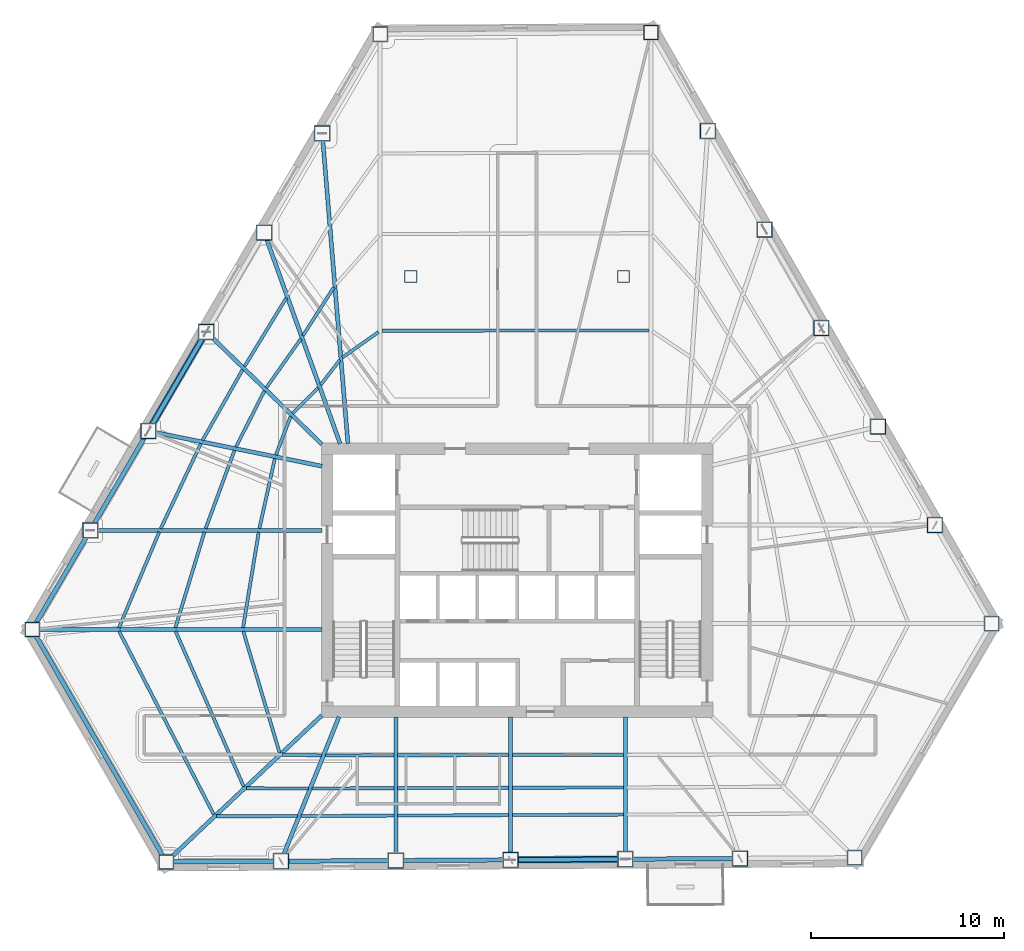
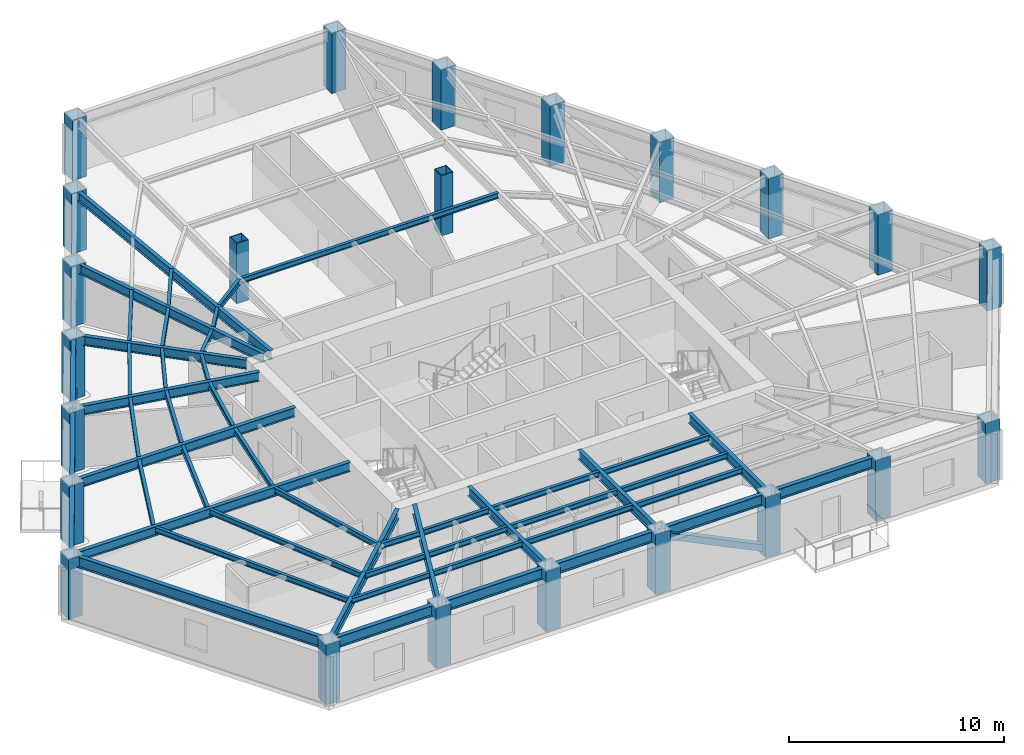
# One storey, part 1 of 14: 51 beams, 23 columns, 2 members.
"""IFC4 building model written with IfcOpenShell, lengths in metres."""

from ifc_helpers import new_model, si_unit, direction, frame, origin, origin_2d, place, context, subcontext, project, spatial, hollow_rectangle, i_section, extrude, material, material_profile, profile_set, type_object, element, save


model = new_model("IFC4")

# Units and contexts
model_context = context("Model", 3, precision=1e-05, world=origin(), true_north=direction((0.0, 1.0)))
body_context = subcontext(model_context, "Body", "Model", "MODEL_VIEW")
ifc_project = project(units=[si_unit("LENGTHUNIT", "METRE"), si_unit("AREAUNIT", "SQUARE_METRE"), si_unit("VOLUMEUNIT", "CUBIC_METRE"), si_unit("PLANEANGLEUNIT", "RADIAN"), si_unit("MASSUNIT", "GRAM", prefix="KILO")], contexts=[model_context])

# Site, building, storey
site_placement = place(None, origin())
site = spatial("IfcSite", under=ifc_project, at=site_placement, CompositionType="ELEMENT")
building_placement = place(site_placement, origin())
building = spatial("IfcBuilding", under=site, at=building_placement, Name="Kavelnor Concourse Tower", CompositionType="ELEMENT")
storey_placement = place(building_placement, frame((0.0, 0.0, 71.449951171875)))
storey = spatial("IfcBuildingStorey", under=building, at=storey_placement, Name="L18", CompositionType="ELEMENT", Elevation=71.449951171875)

# Columns
ifc_material = material(Name="Steel Grade 350", Category="steel")
ifc_material_profile_1 = material_profile(ifc_material, hollow_rectangle(XDim=0.760009765625, YDim=0.760009765625, WallThickness=0.034912109375, at=origin_2d()), Name="SHS 760x760x35")
ifc_profile_set_1 = profile_set([ifc_material_profile_1], Name="Steel Grade 350")
column_type_1 = type_object("IfcColumnType", Name="COL-FOLD-Z1", PredefinedType="COLUMN", material=ifc_profile_set_1)
for number, where, z_axis, x_axis, name in (
    (1, (30.926513671875, 44.32763671875, 0.0), (0.0, 0.0, 1.0), (1.0, 0.0, 0.0), "L18 Perimeter Corner-Fold Column F0-B0"),
    (2, (12.94775390625, 13.552001953125, 0.0), (0.0, 0.0, 1.0), (1.0, 0.0, 0.0), "L18 Perimeter Corner-Fold Column F0-B6"),
    (3, (19.868896484375, 1.540771484375, 0.0), (0.0, 0.0, 1.0), (1.0, 0.0, 0.0), "L18 Perimeter Corner-Fold Column F1-B0"),
    (4, (55.457275390625, 1.7529296875, 0.0), (0.0, 0.0, 1.0), (1.0, 0.0, 0.0), "L18 Perimeter Corner-Fold Column F1-B6"),
    (5, (62.52880859375, 13.857666015625, 0.0), (0.0, 0.0, 1.0), (1.0, 0.0, 0.0), "L18 Perimeter Corner-Fold Column F2-B0"),
    (6, (44.92333984375, 44.4111328125, 0.0), (0.0, 0.0, 1.0), (1.0, 0.0, 0.0), "L18 Perimeter Corner-Fold Column F2-B6"),
):
    element("IfcColumn", number, at=place(storey_placement, frame(where, z_axis=z_axis, x_axis=x_axis)), inside=storey, type_object=column_type_1, Name=name, PredefinedType="COLUMN", context=body_context, shape_type="SweptSolid", body=[
        extrude(hollow_rectangle(XDim=0.760009765625, YDim=0.760009765625, WallThickness=0.034912109375, at=origin_2d()), origin(), (0.0, 0.0, 1.0), 3.429931640625),
    ])
ifc_material_profile_2 = material_profile(ifc_material, hollow_rectangle(XDim=0.800048828125, YDim=0.800048828125, WallThickness=0.035888671875, at=origin_2d()), Name="SHS 800x800x36")
ifc_profile_set_2 = profile_set([ifc_material_profile_2], Name="Steel Grade 350")
column_type_2 = type_object("IfcColumnType", Name="COL-TUBE-Z1", PredefinedType="COLUMN", material=ifc_profile_set_2)
for number, where, z_axis, x_axis, name in (
    (7, (27.93017578125, 39.1982421875, 0.0), (0.0, 0.0, 1.0), (1.0, 0.0, 0.0), "L18 Perimeter Framed-Tube Column F0-B1"),
    (8, (24.93359375, 34.069091796875, 0.0), (0.0, 0.0, 1.0), (1.0, 0.0, 0.0), "L18 Perimeter Framed-Tube Column F0-B2"),
    (9, (21.93701171875, 28.939697265625, 0.0), (0.0, 0.0, 1.0), (1.0, 0.0, 0.0), "L18 Perimeter Framed-Tube Column F0-B3"),
    (10, (18.940673828125, 23.810546875, 0.0), (0.0, 0.0, 1.0), (1.0, 0.0, 0.0), "L18 Perimeter Framed-Tube Column F0-B4"),
    (11, (15.944091796875, 18.681396484375, 0.0), (0.0, 0.0, 1.0), (1.0, 0.0, 0.0), "L18 Perimeter Framed-Tube Column F0-B5"),
    (12, (25.80029296875, 1.576171875, 0.0), (0.0, 0.0, 1.0), (1.0, 0.0, 0.0), "L18 Perimeter Framed-Tube Column F1-B1"),
    (13, (31.731689453125, 1.611328125, 0.0), (0.0, 0.0, 1.0), (1.0, 0.0, 0.0), "L18 Perimeter Framed-Tube Column F1-B2"),
    (14, (37.6630859375, 1.646728515625, 0.0), (0.0, 0.0, 1.0), (1.0, 0.0, 0.0), "L18 Perimeter Framed-Tube Column F1-B3"),
    (15, (43.594482421875, 1.68212890625, 0.0), (0.0, 0.0, 1.0), (1.0, 0.0, 0.0), "L18 Perimeter Framed-Tube Column F1-B4"),
    (16, (49.52587890625, 1.717529296875, 0.0), (0.0, 0.0, 1.0), (1.0, 0.0, 0.0), "L18 Perimeter Framed-Tube Column F1-B5"),
    (17, (59.594482421875, 18.94970703125, 0.0), (0.0, 0.0, 1.0), (1.0, 0.0, 0.0), "L18 Perimeter Framed-Tube Column F2-B1"),
    (18, (56.660400390625, 24.0419921875, 0.0), (0.0, 0.0, 1.0), (1.0, 0.0, 0.0), "L18 Perimeter Framed-Tube Column F2-B2"),
    (19, (53.72607421875, 29.13427734375, 0.0), (0.0, 0.0, 1.0), (1.0, 0.0, 0.0), "L18 Perimeter Framed-Tube Column F2-B3"),
    (20, (50.791748046875, 34.2265625, 0.0), (0.0, 0.0, 1.0), (1.0, 0.0, 0.0), "L18 Perimeter Framed-Tube Column F2-B4"),
    (21, (47.857421875, 39.31884765625, 0.0), (0.0, 0.0, 1.0), (1.0, 0.0, 0.0), "L18 Perimeter Framed-Tube Column F2-B5"),
):
    element("IfcColumn", number, at=place(storey_placement, frame(where, z_axis=z_axis, x_axis=x_axis)), inside=storey, type_object=column_type_2, Name=name, PredefinedType="COLUMN", context=body_context, shape_type="SweptSolid", body=[
        extrude(hollow_rectangle(XDim=0.800048828125, YDim=0.800048828125, WallThickness=0.035888671875, at=origin_2d()), origin(), (0.0, 0.0, 1.0), 3.429931640625),
    ])
ifc_material_profile_3 = material_profile(ifc_material, hollow_rectangle(XDim=0.639892578125, YDim=0.639892578125, WallThickness=0.028076171875, at=origin_2d()), Name="SHS 640x640x28")
ifc_profile_set_3 = profile_set([ifc_material_profile_3], Name="Steel Grade 350")
column_type_3 = type_object("IfcColumnType", Name="COL-TUBE-Z3", PredefinedType="COLUMN", material=ifc_profile_set_3)
for number, where, z_axis, x_axis, name in (
    (22, (32.5, 31.800048828125, 0.0), (0.0, 0.0, 1.0), (1.0, 0.0, 0.0), "L18 North Interior Gravity Column BC-NW"),
    (23, (43.5, 31.800048828125, 0.0), (0.0, 0.0, 1.0), (1.0, 0.0, 0.0), "L18 North Interior Gravity Column BC-NE"),
):
    element("IfcColumn", number, at=place(storey_placement, frame(where, z_axis=z_axis, x_axis=x_axis)), inside=storey, type_object=column_type_3, Name=name, PredefinedType="COLUMN", context=body_context, shape_type="SweptSolid", body=[
        extrude(hollow_rectangle(XDim=0.639892578125, YDim=0.639892578125, WallThickness=0.028076171875, at=origin_2d()), origin(), (0.0, 0.0, 1.0), 3.429931640625),
    ])

# Beams
ifc_material_profile_4 = material_profile(ifc_material, i_section(OverallWidth=0.166015625, OverallDepth=0.306884765625, WebThickness=0.006591796875, FlangeThickness=0.01171875, at=origin_2d()), Name="310UB46")
ifc_profile_set_4 = profile_set([ifc_material_profile_4], Name="Steel Grade 350")
beam_type_1 = type_object("IfcBeamType", Name="BM-JOIST-310", PredefinedType="JOIST", material=ifc_profile_set_4)
beam_1_placement = place(storey_placement, frame((23.851318359375, 13.45751953125, 3.276611328125), z_axis=(0.286424655238, -0.958102769473, 0.0), x_axis=(0.958102769473, 0.286424655238, 0.0)))
element("IfcBeam", 24, at=beam_1_placement, inside=storey, type_object=beam_type_1, Name="L18 Secondary Composite Joist 01-1", PredefinedType="JOIST", context=body_context, shape_type="SweptSolid", body=[
    extrude(i_section(OverallWidth=0.166015625, OverallDepth=0.306884765625, WebThickness=0.006591796875, FlangeThickness=0.01171875, at=origin_2d()), origin(), (0.0, 0.0, 1.0), 6.55126953125),
])
beam_2_placement = place(storey_placement, frame((20.350830078125, 13.4619140625, 3.276611328125), z_axis=(0.401767265292, -0.915741811069, 0.0), x_axis=(0.915741811069, 0.401767265292, 0.0)))
element("IfcBeam", 25, at=beam_2_placement, inside=storey, type_object=beam_type_1, Name="L18 Secondary Composite Joist 01-2", PredefinedType="JOIST", context=body_context, shape_type="SweptSolid", body=[
    extrude(i_section(OverallWidth=0.166015625, OverallDepth=0.306884765625, WebThickness=0.006591796875, FlangeThickness=0.01171875, at=origin_2d()), origin(), (0.0, 0.0, 1.0), 8.761962890625),
])
beam_3_placement = place(storey_placement, frame((17.429931640625, 13.464599609375, 3.276611328125), z_axis=(0.459082968893, -0.888393396909, 0.0), x_axis=(0.888393396909, 0.459082968893, 0.0)))
element("IfcBeam", 26, at=beam_3_placement, inside=storey, type_object=beam_type_1, Name="L18 Secondary Composite Joist 01-3", PredefinedType="JOIST", context=body_context, shape_type="SweptSolid", body=[
    extrude(i_section(OverallWidth=0.166015625, OverallDepth=0.306884765625, WebThickness=0.006591796875, FlangeThickness=0.01171875, at=origin_2d()), origin(), (0.0, 0.0, 1.0), 10.66845703125),
])
beam_4_placement = place(storey_placement, frame((25.8544921875, 7.08447265625, 3.276611328125), z_axis=(0.999821409162, -0.018898406825, 0.0), x_axis=(0.018898406825, 0.999821409162, 0.0)))
element("IfcBeam", 27, at=beam_4_placement, inside=storey, type_object=beam_type_1, Name="L18 Secondary Composite Joist 02-1", PredefinedType="JOIST", context=body_context, shape_type="SweptSolid", body=[
    extrude(i_section(OverallWidth=0.166015625, OverallDepth=0.306884765625, WebThickness=0.006591796875, FlangeThickness=0.01171875, at=origin_2d()), origin(), (0.0, 0.0, 1.0), 2.041015625),
])
beam_5_placement = place(storey_placement, frame((24.00927734375, 5.34765625, 3.276611328125), z_axis=(0.999993297409, -0.003661302691, 0.0), x_axis=(0.003661302691, 0.999993297409, 0.0)))
element("IfcBeam", 28, at=beam_5_placement, inside=storey, type_object=beam_type_1, Name="L18 Secondary Composite Joist 02-2", PredefinedType="JOIST", context=body_context, shape_type="SweptSolid", body=[
    extrude(i_section(OverallWidth=0.166015625, OverallDepth=0.306884765625, WebThickness=0.006591796875, FlangeThickness=0.01171875, at=origin_2d()), origin(), (0.0, 0.0, 1.0), 3.20068359375),
])
beam_6_placement = place(storey_placement, frame((22.47119140625, 3.899658203125, 3.276611328125), z_axis=(0.999995710672, 0.00292893126, 0.0), x_axis=(-0.00292893126, 0.999995710672, 0.0)))
element("IfcBeam", 29, at=beam_6_placement, inside=storey, type_object=beam_type_1, Name="L18 Secondary Composite Joist 02-3", PredefinedType="JOIST", context=body_context, shape_type="SweptSolid", body=[
    extrude(i_section(OverallWidth=0.166015625, OverallDepth=0.306884765625, WebThickness=0.006591796875, FlangeThickness=0.01171875, at=origin_2d()), origin(), (0.0, 0.0, 1.0), 4.167724609375),
])
beam_7_placement = place(storey_placement, frame((28.09228515625, 7.044189453125, 3.276611328125), z_axis=(0.999995398528, 0.003033631932, 0.0), x_axis=(-0.003033631932, 0.999995398528, 0.0)))
element("IfcBeam", 30, at=beam_7_placement, inside=storey, type_object=beam_type_1, Name="L18 Secondary Composite Joist 03-1", PredefinedType="JOIST", context=body_context, shape_type="SweptSolid", body=[
    extrude(i_section(OverallWidth=0.166015625, OverallDepth=0.306884765625, WebThickness=0.006591796875, FlangeThickness=0.01171875, at=origin_2d()), origin(), (0.0, 0.0, 1.0), 3.541015625),
])
beam_8_placement = place(storey_placement, frame((27.406982421875, 5.336181640625, 3.276611328125), z_axis=(0.999991589208, 0.004101403895, 0.0), x_axis=(-0.004101403895, 0.999991589208, 0.0)))
element("IfcBeam", 31, at=beam_8_placement, inside=storey, type_object=beam_type_1, Name="L18 Secondary Composite Joist 03-2", PredefinedType="JOIST", context=body_context, shape_type="SweptSolid", body=[
    extrude(i_section(OverallWidth=0.166015625, OverallDepth=0.306884765625, WebThickness=0.006591796875, FlangeThickness=0.01171875, at=origin_2d()), origin(), (0.0, 0.0, 1.0), 4.226318359375),
])
beam_9_placement = place(storey_placement, frame((26.835693359375, 3.91259765625, 3.276611328125), z_axis=(0.999988314689, 0.004834303084, 0.0), x_axis=(-0.004834303084, 0.999988314689, 0.0)))
element("IfcBeam", 32, at=beam_9_placement, inside=storey, type_object=beam_type_1, Name="L18 Secondary Composite Joist 03-3", PredefinedType="JOIST", context=body_context, shape_type="SweptSolid", body=[
    extrude(i_section(OverallWidth=0.166015625, OverallDepth=0.306884765625, WebThickness=0.006591796875, FlangeThickness=0.01171875, at=origin_2d()), origin(), (0.0, 0.0, 1.0), 4.797607421875),
])
for number, where, z_axis, x_axis, name in (
    (33, (31.830078125, 7.055419921875, 3.276611328125), (0.999998621619, 0.001660349365, 0.0), (-0.001660349365, 0.999998621619, 0.0), "L18 Secondary Composite Joist 04-1"),
    (34, (31.830078125, 5.354248046875, 3.276611328125), (0.999995170707, 0.003107822703, 0.0), (-0.003107822703, 0.999995170707, 0.0), "L18 Secondary Composite Joist 04-2"),
    (35, (31.830078125, 3.9365234375, 3.276611328125), (0.999990755622, 0.004299845303, 0.0), (-0.004299845303, 0.999990755622, 0.0), "L18 Secondary Composite Joist 04-3"),
):
    element("IfcBeam", number, at=place(storey_placement, frame(where, z_axis=z_axis, x_axis=x_axis)), inside=storey, type_object=beam_type_1, Name=name, PredefinedType="JOIST", context=body_context, shape_type="SweptSolid", body=[
        extrude(i_section(OverallWidth=0.166015625, OverallDepth=0.306884765625, WebThickness=0.006591796875, FlangeThickness=0.01171875, at=origin_2d()), origin(), (0.0, 0.0, 1.0), 5.734619140625),
    ])
for number, where, z_axis, x_axis, name in (
    (36, (37.76171875, 7.065185546875, 3.276611328125), (0.999998549903, 0.001702994806, 0.0), (-0.001702994806, 0.999998549903, 0.0), "L18 Secondary Composite Joist 05-1"),
    (37, (37.76171875, 5.37255859375, 3.276611328125), (0.999995170296, 0.003107955017, 0.0), (-0.003107955017, 0.999995170296, 0.0), "L18 Secondary Composite Joist 05-2"),
    (38, (37.76171875, 3.962158203125, 3.276611328125), (0.999990754835, 0.004300028365, 0.0), (-0.004300028365, 0.999990754835, 0.0), "L18 Secondary Composite Joist 05-3"),
):
    element("IfcBeam", number, at=place(storey_placement, frame(where, z_axis=z_axis, x_axis=x_axis)), inside=storey, type_object=beam_type_1, Name=name, PredefinedType="JOIST", context=body_context, shape_type="SweptSolid", body=[
        extrude(i_section(OverallWidth=0.166015625, OverallDepth=0.306884765625, WebThickness=0.006591796875, FlangeThickness=0.01171875, at=origin_2d()), origin(), (0.0, 0.0, 1.0), 5.734375),
    ])
beam_10_placement = place(storey_placement, frame((44.82470703125, 29.014892578125, 3.276611328125), z_axis=(-0.999998617152, -0.001663037525, 0.0), x_axis=(0.001663037525, -0.999998617152, 0.0)))
element("IfcBeam", 39, at=beam_10_placement, inside=storey, type_object=beam_type_1, Name="L18 Secondary Composite Joist 15-1", PredefinedType="JOIST", context=body_context, shape_type="SweptSolid", body=[
    extrude(i_section(OverallWidth=0.166015625, OverallDepth=0.306884765625, WebThickness=0.006591796875, FlangeThickness=0.01171875, at=origin_2d()), origin(), (0.0, 0.0, 1.0), 13.799560546875),
])
beam_11_placement = place(storey_placement, frame((30.84619140625, 28.934814453125, 3.276611328125), z_axis=(-0.816610402245, -0.577189267871, 0.0), x_axis=(0.577189267871, -0.816610402245, 0.0)))
element("IfcBeam", 40, at=beam_11_placement, inside=storey, type_object=beam_type_1, Name="L18 Secondary Composite Joist 16-1", PredefinedType="JOIST", context=body_context, shape_type="SweptSolid", body=[
    extrude(i_section(OverallWidth=0.166015625, OverallDepth=0.306884765625, WebThickness=0.006591796875, FlangeThickness=0.01171875, at=origin_2d()), origin(), (0.0, 0.0, 1.0), 2.291259765625),
])
beam_12_placement = place(storey_placement, frame((28.834716796875, 27.4775390625, 3.276611328125), z_axis=(-0.609615697452, -0.792697105722, 0.0), x_axis=(0.792697105722, -0.609615697452, 0.0)))
element("IfcBeam", 41, at=beam_12_placement, inside=storey, type_object=beam_type_1, Name="L18 Secondary Composite Joist 17-1", PredefinedType="JOIST", context=body_context, shape_type="SweptSolid", body=[
    extrude(i_section(OverallWidth=0.166015625, OverallDepth=0.306884765625, WebThickness=0.006591796875, FlangeThickness=0.01171875, at=origin_2d()), origin(), (0.0, 0.0, 1.0), 1.613525390625),
])
beam_13_placement = place(storey_placement, frame((28.529541015625, 31.239990234375, 3.276611328125), z_axis=(-0.538168533041, -0.842837250034, 0.0), x_axis=(0.842837250034, -0.538168533041, 0.0)))
element("IfcBeam", 42, at=beam_13_placement, inside=storey, type_object=beam_type_1, Name="L18 Secondary Composite Joist 17-2", PredefinedType="JOIST", context=body_context, shape_type="SweptSolid", body=[
    extrude(i_section(OverallWidth=0.166015625, OverallDepth=0.306884765625, WebThickness=0.006591796875, FlangeThickness=0.01171875, at=origin_2d()), origin(), (0.0, 0.0, 1.0), 2.96728515625),
])
beam_14_placement = place(storey_placement, frame((27.721435546875, 26.05078125, 3.276611328125), z_axis=(-0.706517116353, -0.707695954701, 0.0), x_axis=(0.707695954701, -0.706517116353, 0.0)))
element("IfcBeam", 43, at=beam_14_placement, inside=storey, type_object=beam_type_1, Name="L18 Secondary Composite Joist 18-1", PredefinedType="JOIST", context=body_context, shape_type="SweptSolid", body=[
    extrude(i_section(OverallWidth=0.166015625, OverallDepth=0.306884765625, WebThickness=0.006591796875, FlangeThickness=0.01171875, at=origin_2d()), origin(), (0.0, 0.0, 1.0), 1.864013671875),
])
beam_15_placement = place(storey_placement, frame((26.82275390625, 28.575439453125, 3.276611328125), z_axis=(-0.576739105722, -0.816928395841, 0.0), x_axis=(0.816928395841, -0.576739105722, 0.0)))
element("IfcBeam", 44, at=beam_15_placement, inside=storey, type_object=beam_type_1, Name="L18 Secondary Composite Joist 18-2", PredefinedType="JOIST", context=body_context, shape_type="SweptSolid", body=[
    extrude(i_section(OverallWidth=0.166015625, OverallDepth=0.306884765625, WebThickness=0.006591796875, FlangeThickness=0.01171875, at=origin_2d()), origin(), (0.0, 0.0, 1.0), 3.0859375),
])
beam_16_placement = place(storey_placement, frame((26.068603515625, 30.6845703125, 3.276611328125), z_axis=(-0.520788867961, -0.853685512943, 0.0), x_axis=(0.853685512943, -0.520788867961, 0.0)))
element("IfcBeam", 45, at=beam_16_placement, inside=storey, type_object=beam_type_1, Name="L18 Secondary Composite Joist 18-3", PredefinedType="JOIST", context=body_context, shape_type="SweptSolid", body=[
    extrude(i_section(OverallWidth=0.166015625, OverallDepth=0.306884765625, WebThickness=0.006591796875, FlangeThickness=0.01171875, at=origin_2d()), origin(), (0.0, 0.0, 1.0), 4.138427734375),
])
beam_17_placement = place(storey_placement, frame((26.2998046875, 24.570068359375, 3.276611328125), z_axis=(-0.357768193507, -0.933810430288, 0.0), x_axis=(0.933810430288, -0.357768193507, 0.0)))
element("IfcBeam", 46, at=beam_17_placement, inside=storey, type_object=beam_type_1, Name="L18 Secondary Composite Joist 19-1", PredefinedType="JOIST", context=body_context, shape_type="SweptSolid", body=[
    extrude(i_section(OverallWidth=0.166015625, OverallDepth=0.306884765625, WebThickness=0.006591796875, FlangeThickness=0.01171875, at=origin_2d()), origin(), (0.0, 0.0, 1.0), 2.13525390625),
])
beam_18_placement = place(storey_placement, frame((24.941650390625, 25.88623046875, 3.276611328125), z_axis=(-0.452619692819, -0.89170365799, 0.0), x_axis=(0.89170365799, -0.452619692819, 0.0)))
element("IfcBeam", 47, at=beam_18_placement, inside=storey, type_object=beam_type_1, Name="L18 Secondary Composite Joist 19-2", PredefinedType="JOIST", context=body_context, shape_type="SweptSolid", body=[
    extrude(i_section(OverallWidth=0.166015625, OverallDepth=0.306884765625, WebThickness=0.006591796875, FlangeThickness=0.01171875, at=origin_2d()), origin(), (0.0, 0.0, 1.0), 3.24658203125),
])
beam_19_placement = place(storey_placement, frame((23.8134765625, 26.981689453125, 3.276611328125), z_axis=(-0.493084646057, -0.869981339928, 0.0), x_axis=(0.869981339928, -0.493084646057, 0.0)))
element("IfcBeam", 48, at=beam_19_placement, inside=storey, type_object=beam_type_1, Name="L18 Secondary Composite Joist 19-3", PredefinedType="JOIST", context=body_context, shape_type="SweptSolid", body=[
    extrude(i_section(OverallWidth=0.166015625, OverallDepth=0.306884765625, WebThickness=0.006591796875, FlangeThickness=0.01171875, at=origin_2d()), origin(), (0.0, 0.0, 1.0), 4.187744140625),
])
beam_20_placement = place(storey_placement, frame((25.4794921875, 22.38818359375, 3.276611328125), z_axis=(-0.215392062221, -0.976527654259, 0.0), x_axis=(0.976527654259, -0.215392062221, 0.0)))
element("IfcBeam", 49, at=beam_20_placement, inside=storey, type_object=beam_type_1, Name="L18 Secondary Composite Joist 20-1", PredefinedType="JOIST", context=body_context, shape_type="SweptSolid", body=[
    extrude(i_section(OverallWidth=0.166015625, OverallDepth=0.306884765625, WebThickness=0.006591796875, FlangeThickness=0.01171875, at=origin_2d()), origin(), (0.0, 0.0, 1.0), 3.697265625),
])
beam_21_placement = place(storey_placement, frame((23.3935546875, 22.81103515625, 3.276611328125), z_axis=(-0.346225841963, -0.938151195894, 0.0), x_axis=(0.938151195894, -0.346225841963, 0.0)))
element("IfcBeam", 50, at=beam_21_placement, inside=storey, type_object=beam_type_1, Name="L18 Secondary Composite Joist 20-2", PredefinedType="JOIST", context=body_context, shape_type="SweptSolid", body=[
    extrude(i_section(OverallWidth=0.166015625, OverallDepth=0.306884765625, WebThickness=0.006591796875, FlangeThickness=0.01171875, at=origin_2d()), origin(), (0.0, 0.0, 1.0), 4.303466796875),
])
beam_22_placement = place(storey_placement, frame((21.657958984375, 23.16357421875, 3.276611328125), z_axis=(-0.426876173888, -0.90431008629, 0.0), x_axis=(0.90431008629, -0.426876173888, 0.0)))
element("IfcBeam", 51, at=beam_22_placement, inside=storey, type_object=beam_type_1, Name="L18 Secondary Composite Joist 20-3", PredefinedType="JOIST", context=body_context, shape_type="SweptSolid", body=[
    extrude(i_section(OverallWidth=0.166015625, OverallDepth=0.306884765625, WebThickness=0.006591796875, FlangeThickness=0.01171875, at=origin_2d()), origin(), (0.0, 0.0, 1.0), 4.85791015625),
])
beam_23_placement = place(storey_placement, frame((24.64599609375, 18.583984375, 3.276611328125), z_axis=(-0.161413350453, -0.986886888298, 0.0), x_axis=(0.986886888298, -0.161413350453, 0.0)))
element("IfcBeam", 52, at=beam_23_placement, inside=storey, type_object=beam_type_1, Name="L18 Secondary Composite Joist 21-1", PredefinedType="JOIST", context=body_context, shape_type="SweptSolid", body=[
    extrude(i_section(OverallWidth=0.166015625, OverallDepth=0.306884765625, WebThickness=0.006591796875, FlangeThickness=0.01171875, at=origin_2d()), origin(), (0.0, 0.0, 1.0), 5.00048828125),
])
beam_24_placement = place(storey_placement, frame((21.8408203125, 18.587158203125, 3.276611328125), z_axis=(-0.29066866938, -0.956823768852, 0.0), x_axis=(0.956823768852, -0.29066866938, 0.0)))
element("IfcBeam", 53, at=beam_24_placement, inside=storey, type_object=beam_type_1, Name="L18 Secondary Composite Joist 21-2", PredefinedType="JOIST", context=body_context, shape_type="SweptSolid", body=[
    extrude(i_section(OverallWidth=0.166015625, OverallDepth=0.306884765625, WebThickness=0.006591796875, FlangeThickness=0.01171875, at=origin_2d()), origin(), (0.0, 0.0, 1.0), 5.163818359375),
])
beam_25_placement = place(storey_placement, frame((19.50390625, 18.590576171875, 3.276611328125), z_axis=(-0.38770722546, -0.921782570526, 0.0), x_axis=(0.921782570526, -0.38770722546, 0.0)))
element("IfcBeam", 54, at=beam_25_placement, inside=storey, type_object=beam_type_1, Name="L18 Secondary Composite Joist 21-3", PredefinedType="JOIST", context=body_context, shape_type="SweptSolid", body=[
    extrude(i_section(OverallWidth=0.166015625, OverallDepth=0.306884765625, WebThickness=0.006591796875, FlangeThickness=0.01171875, at=origin_2d()), origin(), (0.0, 0.0, 1.0), 5.36767578125),
])
ifc_material_profile_5 = material_profile(ifc_material, i_section(OverallWidth=0.208984375, OverallDepth=0.528076171875, WebThickness=0.009521484375, FlangeThickness=0.01318359375, at=origin_2d()), Name="530UB82")
ifc_profile_set_5 = profile_set([ifc_material_profile_5], Name="Steel Grade 350")
beam_type_2 = type_object("IfcBeamType", Name="BM-PRIMARY-530", PredefinedType="BEAM", material=ifc_profile_set_5)
beam_26_placement = place(storey_placement, frame((29.259033203125, 23.16015625, 3.166015625), z_axis=(-0.082579852793, 0.996584450969, 0.0), x_axis=(-0.996584450969, -0.082579852793, 0.0)))
element("IfcBeam", 55, at=beam_26_placement, inside=storey, type_object=beam_type_2, Name="L18 Primary Floor Girder F0-B1", PredefinedType="BEAM", context=body_context, shape_type="SweptSolid", body=[
    extrude(i_section(OverallWidth=0.208984375, OverallDepth=0.528076171875, WebThickness=0.009521484375, FlangeThickness=0.01318359375, at=origin_2d()), origin(), (0.0, 0.0, 1.0), 15.751708984375),
])
beam_27_placement = place(storey_placement, frame((28.854248046875, 23.162353515625, 3.166015625), z_axis=(-0.338278171706, 0.941046161752, 0.0), x_axis=(-0.941046161752, -0.338278171706, 0.0)))
element("IfcBeam", 56, at=beam_27_placement, inside=storey, type_object=beam_type_2, Name="L18 Primary Floor Girder F0-B2", PredefinedType="BEAM", context=body_context, shape_type="SweptSolid", body=[
    extrude(i_section(OverallWidth=0.208984375, OverallDepth=0.528076171875, WebThickness=0.009521484375, FlangeThickness=0.01318359375, at=origin_2d()), origin(), (0.0, 0.0, 1.0), 11.226318359375),
])
beam_28_placement = place(storey_placement, frame((27.90869140625, 23.131103515625, 3.166015625), z_axis=(-0.716816357993, 0.697262008798, 0.0), x_axis=(-0.697262008798, -0.716816357993, 0.0)))
element("IfcBeam", 57, at=beam_28_placement, inside=storey, type_object=beam_type_2, Name="L18 Primary Floor Girder F0-B3", PredefinedType="BEAM", context=body_context, shape_type="SweptSolid", body=[
    extrude(i_section(OverallWidth=0.208984375, OverallDepth=0.528076171875, WebThickness=0.009521484375, FlangeThickness=0.01318359375, at=origin_2d()), origin(), (0.0, 0.0, 1.0), 7.8408203125),
])
beam_29_placement = place(storey_placement, frame((27.919189453125, 21.995361328125, 3.166015625), z_axis=(-0.98016829776, 0.198166869245, 0.0), x_axis=(-0.198166869245, -0.98016829776, 0.0)))
element("IfcBeam", 58, at=beam_29_placement, inside=storey, type_object=beam_type_2, Name="L18 Primary Floor Girder F0-B4", PredefinedType="BEAM", context=body_context, shape_type="SweptSolid", body=[
    extrude(i_section(OverallWidth=0.208984375, OverallDepth=0.528076171875, WebThickness=0.009521484375, FlangeThickness=0.01318359375, at=origin_2d()), origin(), (0.0, 0.0, 1.0), 8.8125),
])
beam_30_placement = place(storey_placement, frame((27.919921875, 18.681396484375, 3.166015625), z_axis=(-1.0, 0.0, 0.0), x_axis=(0.0, -1.0, 0.0)))
element("IfcBeam", 59, at=beam_30_placement, inside=storey, type_object=beam_type_2, Name="L18 Primary Floor Girder F0-B5", PredefinedType="BEAM", context=body_context, shape_type="SweptSolid", body=[
    extrude(i_section(OverallWidth=0.208984375, OverallDepth=0.528076171875, WebThickness=0.009521484375, FlangeThickness=0.01318359375, at=origin_2d()), origin(), (0.0, 0.0, 1.0), 11.6357421875),
])
beam_31_placement = place(storey_placement, frame((27.919921875, 13.552001953125, 3.166015625), z_axis=(-1.0, 0.0, 0.0), x_axis=(0.0, -1.0, 0.0)))
element("IfcBeam", 60, at=beam_31_placement, inside=storey, type_object=beam_type_2, Name="L18 Primary Floor Girder F0-B6", PredefinedType="BEAM", context=body_context, shape_type="SweptSolid", body=[
    extrude(i_section(OverallWidth=0.208984375, OverallDepth=0.528076171875, WebThickness=0.009521484375, FlangeThickness=0.01318359375, at=origin_2d()), origin(), (0.0, 0.0, 1.0), 14.63232421875),
])
beam_32_placement = place(storey_placement, frame((27.9091796875, 9.114501953125, 3.166015625), z_axis=(-0.727903425518, -0.685679665091, 0.0), x_axis=(0.685679665091, -0.727903425518, 0.0)))
element("IfcBeam", 61, at=beam_32_placement, inside=storey, type_object=beam_type_2, Name="L18 Primary Floor Girder F1-B0", PredefinedType="BEAM", context=body_context, shape_type="SweptSolid", body=[
    extrude(i_section(OverallWidth=0.208984375, OverallDepth=0.528076171875, WebThickness=0.009521484375, FlangeThickness=0.01318359375, at=origin_2d()), origin(), (0.0, 0.0, 1.0), 10.563720703125),
])
beam_33_placement = place(storey_placement, frame((28.793212890625, 9.037109375, 3.166015625), z_axis=(-0.372312537102, -0.928107415506, 0.0), x_axis=(0.928107415506, -0.372312537102, 0.0)))
element("IfcBeam", 62, at=beam_33_placement, inside=storey, type_object=beam_type_2, Name="L18 Primary Floor Girder F1-B1", PredefinedType="BEAM", context=body_context, shape_type="SweptSolid", body=[
    extrude(i_section(OverallWidth=0.208984375, OverallDepth=0.528076171875, WebThickness=0.009521484375, FlangeThickness=0.01318359375, at=origin_2d()), origin(), (0.0, 0.0, 1.0), 7.66943359375),
])
beam_34_placement = place(storey_placement, frame((31.731689453125, 9.0400390625, 3.166015625), z_axis=(0.0, -1.0, 0.0), x_axis=(1.0, 0.0, 0.0)))
element("IfcBeam", 63, at=beam_34_placement, inside=storey, type_object=beam_type_2, Name="L18 Primary Floor Girder F1-B2", PredefinedType="BEAM", context=body_context, shape_type="SweptSolid", body=[
    extrude(i_section(OverallWidth=0.208984375, OverallDepth=0.528076171875, WebThickness=0.009521484375, FlangeThickness=0.01318359375, at=origin_2d()), origin(), (0.0, 0.0, 1.0), 7.088623046875),
])
beam_35_placement = place(storey_placement, frame((37.6630859375, 9.0400390625, 3.166015625), z_axis=(0.0, -1.0, 0.0), x_axis=(1.0, 0.0, 0.0)))
element("IfcBeam", 64, at=beam_35_placement, inside=storey, type_object=beam_type_2, Name="L18 Primary Floor Girder F1-B3", PredefinedType="BEAM", context=body_context, shape_type="SweptSolid", body=[
    extrude(i_section(OverallWidth=0.208984375, OverallDepth=0.528076171875, WebThickness=0.009521484375, FlangeThickness=0.01318359375, at=origin_2d()), origin(), (0.0, 0.0, 1.0), 7.05322265625),
])
beam_36_placement = place(storey_placement, frame((43.594482421875, 9.0400390625, 3.166015625), z_axis=(0.0, -1.0, 0.0), x_axis=(1.0, 0.0, 0.0)))
element("IfcBeam", 65, at=beam_36_placement, inside=storey, type_object=beam_type_2, Name="L18 Primary Floor Girder F1-B4", PredefinedType="BEAM", context=body_context, shape_type="SweptSolid", body=[
    extrude(i_section(OverallWidth=0.208984375, OverallDepth=0.528076171875, WebThickness=0.009521484375, FlangeThickness=0.01318359375, at=origin_2d()), origin(), (0.0, 0.0, 1.0), 7.017822265625),
])
ifc_material_profile_6 = material_profile(ifc_material, i_section(OverallWidth=0.22900390625, OverallDepth=0.612060546875, WebThickness=0.011962890625, FlangeThickness=0.01953125, at=origin_2d()), Name="610UB125")
ifc_profile_set_6 = profile_set([ifc_material_profile_6], Name="Steel Grade 350")
beam_type_3 = type_object("IfcBeamType", Name="BM-SPANDREL-Z1", PredefinedType="SPANDREL", material=ifc_profile_set_6)
for number, where, z_axis, x_axis, name in (
    (66, (21.76318359375, 28.641845703125, 3.1240234375), (-0.504428916979, -0.863453222656, 0.0), (0.863453222656, -0.504428916979, 0.0), "L18 Perimeter Tube Spandrel Beam F0-B3"),
    (67, (18.7666015625, 23.5126953125, 3.1240234375), (-0.504428916979, -0.863453222656, 0.0), (0.863453222656, -0.504428916979, 0.0), "L18 Perimeter Tube Spandrel Beam F0-B4"),
    (68, (15.770263671875, 18.38330078125, 3.1240234375), (-0.50446358369, -0.863432969448, 0.0), (0.863432969448, -0.50446358369, 0.0), "L18 Perimeter Tube Spandrel Beam F0-B5"),
):
    element("IfcBeam", number, at=place(storey_placement, frame(where, z_axis=z_axis, x_axis=x_axis)), inside=storey, type_object=beam_type_3, Name=name, PredefinedType="SPANDREL", context=body_context, shape_type="SweptSolid", body=[
        extrude(i_section(OverallWidth=0.22900390625, OverallDepth=0.612060546875, WebThickness=0.011962890625, FlangeThickness=0.01953125, at=origin_2d()), origin(), (0.0, 0.0, 1.0), 5.25048828125),
    ])
for number, where, z_axis, x_axis, name in (
    (69, (20.2138671875, 1.542724609375, 3.1240234375), (0.999982227246, 0.005961978904, 0.0), (-0.005961978904, 0.999982227246, 0.0), "L18 Perimeter Tube Spandrel Beam F1-B0"),
    (70, (26.145263671875, 1.578125, 3.1240234375), (0.999982227246, 0.005961978904, 0.0), (-0.005961978904, 0.999982227246, 0.0), "L18 Perimeter Tube Spandrel Beam F1-B1"),
    (71, (32.07666015625, 1.613525390625, 3.1240234375), (0.999982227246, 0.005961978904, 0.0), (-0.005961978904, 0.999982227246, 0.0), "L18 Perimeter Tube Spandrel Beam F1-B2"),
    (72, (38.008056640625, 1.64892578125, 3.1240234375), (0.999982227246, 0.005961978904, 0.0), (-0.005961978904, 0.999982227246, 0.0), "L18 Perimeter Tube Spandrel Beam F1-B3"),
    (73, (43.939453125, 1.684326171875, 3.1240234375), (0.999982503853, 0.00591540258, 0.0), (-0.00591540258, 0.999982503853, 0.0), "L18 Perimeter Tube Spandrel Beam F1-B4"),
):
    element("IfcBeam", number, at=place(storey_placement, frame(where, z_axis=z_axis, x_axis=x_axis)), inside=storey, type_object=beam_type_3, Name=name, PredefinedType="SPANDREL", context=body_context, shape_type="SweptSolid", body=[
        extrude(i_section(OverallWidth=0.22900390625, OverallDepth=0.612060546875, WebThickness=0.011962890625, FlangeThickness=0.01953125, at=origin_2d()), origin(), (0.0, 0.0, 1.0), 5.241455078125),
    ])
beam_37_placement = place(storey_placement, frame((13.119873046875, 13.253173828125, 3.1240234375), z_axis=(0.499275277901, -0.866443418162, 0.0), x_axis=(0.866443418162, 0.499275277901, 0.0)))
element("IfcBeam", 74, at=beam_37_placement, inside=storey, type_object=beam_type_3, Name="L18 Chamfer Facet Spandrel Beam C1", PredefinedType="SPANDREL", context=body_context, shape_type="SweptSolid", body=[
    extrude(i_section(OverallWidth=0.22900390625, OverallDepth=0.612060546875, WebThickness=0.011962890625, FlangeThickness=0.01953125, at=origin_2d()), origin(), (0.0, 0.0, 1.0), 13.1728515625),
])

# Members
ifc_material_profile_7 = material_profile(ifc_material, hollow_rectangle(XDim=0.35009765625, YDim=0.35009765625, WallThickness=0.02001953125, at=origin_2d()), Name="SHS 350x350x20")
ifc_profile_set_7 = profile_set([ifc_material_profile_7], Name="Steel Grade 350")
member_type = type_object("IfcMemberType", Name="MBR-TUBE-DIAG-Z1", PredefinedType="BRACE", material=ifc_profile_set_7)
member_1_placement = place(storey_placement, frame((21.93701171875, 28.939697265625, 0.219970703125), z_axis=(-0.453160416576, -0.775722903272, 0.439203385902), x_axis=(0.863461219125, -0.504415228822, 0.0)))
element("IfcMember", 75, at=member_1_placement, inside=storey, type_object=member_type, Name="L18 Framed-Tube Bracing Diagonal F0-B3", PredefinedType="BRACE", context=body_context, shape_type="SweptSolid", body=[
    extrude(hollow_rectangle(XDim=0.35009765625, YDim=0.35009765625, WallThickness=0.02001953125, at=origin_2d()), origin(), (0.0, 0.0, 1.0), 6.612060546875),
])
member_2_placement = place(storey_placement, frame((43.594482421875, 1.68212890625, 0.219970703125), z_axis=(-0.898116850784, -0.005360236401, 0.439724220625), x_axis=(0.005968199941, -0.999982190136, 0.0)))
element("IfcMember", 76, at=member_2_placement, inside=storey, type_object=member_type, Name="L18 Framed-Tube Bracing Diagonal F1-B3", PredefinedType="BRACE", context=body_context, shape_type="SweptSolid", body=[
    extrude(hollow_rectangle(XDim=0.35009765625, YDim=0.35009765625, WallThickness=0.02001953125, at=origin_2d()), origin(), (0.0, 0.0, 1.0), 6.604248046875),
])

save(model, "model.ifc")
